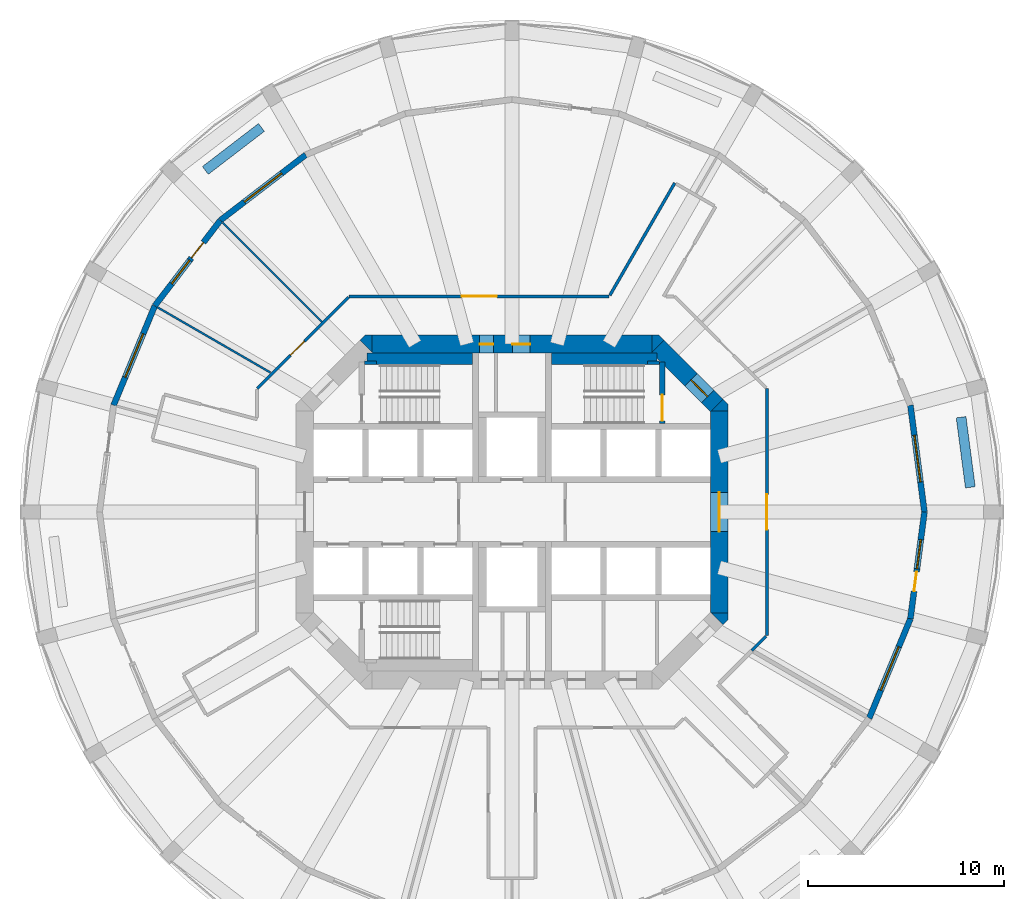
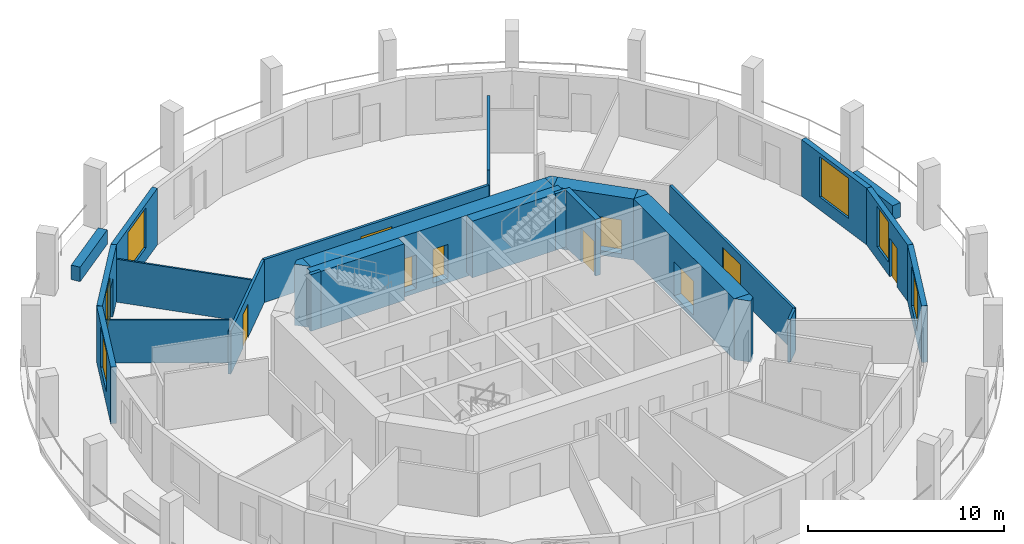
# One storey, part 5 of 8: 27 walls, 10 doors, 6 windows, 16 openings.
"""IFC4 building model written with IfcOpenShell, lengths in metres."""

from ifc_helpers import new_model, si_unit, direction, frame, frame_2d, origin, place, context, subcontext, project, spatial, polyline, rectangle, outline, extrude, material, layer, layer_set, type_object, element, fill, save


model = new_model("IFC4")

# Units and contexts
model_context = context("Model", 3, precision=1e-05, world=origin(), true_north=direction((0.0, 1.0)))
body_context = subcontext(model_context, "Body", "Model", "MODEL_VIEW")
ifc_project = project(units=[si_unit("LENGTHUNIT", "METRE"), si_unit("AREAUNIT", "SQUARE_METRE"), si_unit("VOLUMEUNIT", "CUBIC_METRE"), si_unit("PLANEANGLEUNIT", "RADIAN"), si_unit("MASSUNIT", "GRAM", prefix="KILO")], contexts=[model_context])

# Site, building, storey
site_placement = place(None, origin())
site = spatial("IfcSite", under=ifc_project, at=site_placement, CompositionType="ELEMENT")
building_placement = place(site_placement, origin())
building = spatial("IfcBuilding", under=site, at=building_placement, Name="Torre Triforio", CompositionType="ELEMENT")
storey_placement = place(building_placement, frame((0.0, 0.0, 120.0)))
storey = spatial("IfcBuildingStorey", under=building, at=storey_placement, Name="L26", CompositionType="ELEMENT", Elevation=120.0)

# Wall, openings, doors
ifc_material_1 = material(Name="Concrete C60", Category="concrete")
ifc_layer_1 = layer(ifc_material_1, 0.89990234375)
ifc_layer_set_1 = layer_set([ifc_layer_1], Name="Concrete C60")
wall_type_1 = type_object("IfcWallType", Name="Core wall 900 mm C60 EI 120", PredefinedType="SHEAR", material=ifc_layer_set_1)
wall_1_placement = place(storey_placement, frame((-7.1298828125, 8.550048828125, -0.280029296875), z_axis=(0.0, 0.0, 1.0), x_axis=(1.0, 0.0, 0.0)))
wall_1 = element("IfcWall", 1, at=wall_1_placement, inside=storey, type_object=wall_type_1, Name="Core wall", PredefinedType="SHEAR", context=body_context, shape_type="SweptSolid", body=[
    extrude(rectangle(XDim=14.259765625, YDim=0.89990234375, at=frame_2d((7.1298828125, 0.0))), origin(), (0.0, 0.0, 1.0), 3.800048828125),
])
opening_1_placement = place(wall_1_placement, frame((5.47998046875, 0.0, 0.280029296875)))
opening_1 = element("IfcOpeningElement", 2, at=opening_1_placement, cuts=wall_1, Name="Opening RISER-N", PredefinedType="OPENING", context=body_context, shape_type="SweptSolid", body=[
    extrude(rectangle(XDim=0.699951171875, YDim=2.10009765625, at=frame_2d((0.35009765625, 1.050048828125))), frame((0.0, 0.4599609375, 0.0), z_axis=(0.0, -1.0, 0.0), x_axis=(1.0, 0.0, 0.0)), (0.0, 0.0, 1.0), 0.919921875),
])
opening_2_placement = place(wall_1_placement, frame((7.155029296875, 0.0, 0.280029296875)))
opening_2 = element("IfcOpeningElement", 3, at=opening_2_placement, cuts=wall_1, Name="Opening NE-01", PredefinedType="OPENING", context=body_context, shape_type="SweptSolid", body=[
    extrude(rectangle(XDim=0.89990234375, YDim=2.10009765625, at=frame_2d((0.449951171875, 1.050048828125))), frame((0.0, 0.4599609375, 0.0), z_axis=(0.0, -1.0, 0.0), x_axis=(1.0, 0.0, 0.0)), (0.0, 0.0, 1.0), 0.919921875),
])
ifc_material_2 = material(Name="Hollow metal fire door leaf")
door_type_1 = type_object("IfcDoorType", Name="Riser door 700 x 2100 EI 60", OperationType="NOTDEFINED", PredefinedType="DOOR", material=ifc_material_2)
door_1_placement = place(opening_1_placement, origin())
door_1 = element("IfcDoor", 4, at=door_1_placement, inside=storey, type_object=door_type_1, Name="Core door RISER-N", OperationType="SINGLE_SWING_LEFT", OverallHeight=2.10009765625, OverallWidth=0.699951171875, PredefinedType="DOOR", context=body_context, shape_type="SweptSolid", body=[
    extrude(rectangle(XDim=0.699951171875, YDim=2.10009765625, at=frame_2d((0.35009765625, 1.050048828125))), frame((0.0, 0.02490234375, 0.0), z_axis=(0.0, -1.0, 0.0), x_axis=(1.0, 0.0, 0.0)), (0.0, 0.0, 1.0), 0.050048828125),
])
fill(opening_1, door_1)
door_type_2 = type_object("IfcDoorType", Name="Room door 900 x 2100 EI 60", OperationType="NOTDEFINED", PredefinedType="DOOR", material=ifc_material_2)
door_2_placement = place(opening_2_placement, origin())
door_2 = element("IfcDoor", 5, at=door_2_placement, inside=storey, type_object=door_type_2, Name="Core door NE-01", OperationType="SINGLE_SWING_RIGHT", OverallHeight=2.10009765625, OverallWidth=0.89990234375, PredefinedType="DOOR", context=body_context, shape_type="SweptSolid", body=[
    extrude(rectangle(XDim=0.89990234375, YDim=2.10009765625, at=frame_2d((0.449951171875, 1.050048828125))), frame((0.0, 0.02490234375, 0.0), z_axis=(0.0, -1.0, 0.0), x_axis=(1.0, 0.0, 0.0)), (0.0, 0.0, 1.0), 0.050048828125),
])
fill(opening_2, door_2)

# Wall, opening, door
wall_2_placement = place(storey_placement, frame((10.550048828125, -5.1298828125, -0.280029296875), z_axis=(0.0, 0.0, 1.0), x_axis=(0.0, 1.0, 0.0)))
wall_2 = element("IfcWall", 6, at=wall_2_placement, inside=storey, type_object=wall_type_1, Name="Core wall", PredefinedType="SHEAR", context=body_context, shape_type="SweptSolid", body=[
    extrude(rectangle(XDim=10.259765625, YDim=0.89990234375, at=frame_2d((5.1298828125, 0.0))), origin(), (0.0, 0.0, 1.0), 3.800048828125),
])
opening_3_placement = place(wall_2_placement, frame((4.1298828125, 0.0, 0.280029296875)))
opening_3 = element("IfcOpeningElement", 7, at=opening_3_placement, cuts=wall_2, Name="Opening E-RING", PredefinedType="OPENING", context=body_context, shape_type="SweptSolid", body=[
    extrude(rectangle(XDim=2.0, YDim=2.10009765625, at=frame_2d((1.0, 1.050048828125))), frame((0.0, 0.4599609375, 0.0), z_axis=(0.0, -1.0, 0.0), x_axis=(1.0, 0.0, 0.0)), (0.0, 0.0, 1.0), 0.919921875),
])
door_type_3 = type_object("IfcDoorType", Name="Lobby door 2000 x 2100 EI 60", OperationType="DOUBLE_DOOR_SINGLE_SWING", PredefinedType="DOOR", material=ifc_material_2)
door_3_placement = place(opening_3_placement, origin())
door_3 = element("IfcDoor", 8, at=door_3_placement, inside=storey, type_object=door_type_3, Name="Core door E-RING", OperationType="DOUBLE_DOOR_SINGLE_SWING", OverallHeight=2.10009765625, OverallWidth=2.0, PredefinedType="DOOR", context=body_context, shape_type="SweptSolid", body=[
    extrude(rectangle(XDim=2.0, YDim=2.10009765625, at=frame_2d((1.0, 1.050048828125))), frame((0.0, 0.02490234375, 0.0), z_axis=(0.0, -1.0, 0.0), x_axis=(1.0, 0.0, 0.0)), (0.0, 0.0, 1.0), 0.050048828125),
])
fill(opening_3, door_3)

wall_3_placement = place(storey_placement, frame((7.418212890625, 8.418212890625, -0.280029296875), z_axis=(0.0, 0.0, 1.0), x_axis=(0.707106781187, -0.707106781187, 0.0)))
wall_3 = element("IfcWall", 9, at=wall_3_placement, inside=storey, type_object=wall_type_1, Name="Core wall", PredefinedType="SHEAR", context=body_context, shape_type="SweptSolid", body=[
    extrude(rectangle(XDim=4.24267578125, YDim=0.89990234375, at=frame_2d((2.121337890625, 0.0))), origin(), (0.0, 0.0, 1.0), 3.800048828125),
])
opening_4_placement = place(wall_3_placement, frame((2.392578125, 0.0, 0.280029296875)))
opening_4 = element("IfcOpeningElement", 10, at=opening_4_placement, cuts=wall_3, Name="Opening ST2-EXIT", PredefinedType="OPENING", context=body_context, shape_type="SweptSolid", body=[
    extrude(rectangle(XDim=1.199951171875, YDim=2.10009765625, at=frame_2d((0.60009765625, 1.050048828125))), frame((0.0, 0.4599609375, 0.0), z_axis=(0.0, -1.0, 0.0), x_axis=(1.0, 0.0, 0.0)), (0.0, 0.0, 1.0), 0.919921875),
])
door_type_4 = type_object("IfcDoorType", Name="Stair lobby door 1200 x 2100 EI 60", OperationType="NOTDEFINED", PredefinedType="DOOR", material=ifc_material_2)
door_4_placement = place(opening_4_placement, origin())
door_4 = element("IfcDoor", 11, at=door_4_placement, inside=storey, type_object=door_type_4, Name="Core door ST2-EXIT", OperationType="SINGLE_SWING_RIGHT", OverallHeight=2.10009765625, OverallWidth=1.199951171875, PredefinedType="DOOR", context=body_context, shape_type="SweptSolid", body=[
    extrude(rectangle(XDim=1.199951171875, YDim=2.10009765625, at=frame_2d((0.60009765625, 1.050048828125))), frame((0.0, 0.02490234375, 0.0), z_axis=(0.0, -1.0, 0.0), x_axis=(1.0, 0.0, 0.0)), (0.0, 0.0, 1.0), 0.050048828125),
])
fill(opening_4, door_4)

# Walls
wall_4_placement = place(storey_placement, frame((0.0, 0.0, -0.280029296875)))
element("IfcWall", 12, at=wall_4_placement, inside=storey, type_object=wall_type_1, Name="Core wall", PredefinedType="SHEAR", context=body_context, shape_type="SweptSolid", body=[
    extrude(outline(polyline([(11.0, -5.472900390625), (10.736328125, -5.736328125), (10.1298828125, -5.1298828125), (11.0, -5.1298828125), (11.0, -5.472900390625)])), origin(), (0.0, 0.0, 1.0), 3.800048828125),
])
wall_5_placement = place(storey_placement, frame((0.0, 0.0, -0.280029296875)))
element("IfcWall", 13, at=wall_5_placement, inside=storey, type_object=wall_type_1, Name="Core wall", PredefinedType="SHEAR", context=body_context, shape_type="SweptSolid", body=[
    extrude(outline(polyline([(11.0, 5.472900390625), (11.0, 5.1298828125), (10.1298828125, 5.1298828125), (10.736328125, 5.736328125), (11.0, 5.472900390625)])), origin(), (0.0, 0.0, 1.0), 3.800048828125),
])
wall_6_placement = place(storey_placement, frame((0.0, 0.0, -0.280029296875)))
element("IfcWall", 14, at=wall_6_placement, inside=storey, type_object=wall_type_1, Name="Core wall", PredefinedType="SHEAR", context=body_context, shape_type="SweptSolid", body=[
    extrude(outline(polyline([(-7.472900390625, 9.0), (-7.1298828125, 9.0), (-7.1298828125, 8.1298828125), (-7.736328125, 8.736328125), (-7.472900390625, 9.0)])), origin(), (0.0, 0.0, 1.0), 3.800048828125),
])
wall_7_placement = place(storey_placement, frame((0.0, 0.0, -0.280029296875)))
element("IfcWall", 15, at=wall_7_placement, inside=storey, type_object=wall_type_1, Name="Core wall", PredefinedType="SHEAR", context=body_context, shape_type="SweptSolid", body=[
    extrude(outline(polyline([(7.472900390625, 9.0), (7.736328125, 8.736328125), (7.1298828125, 8.1298828125), (7.1298828125, 9.0), (7.472900390625, 9.0)])), origin(), (0.0, 0.0, 1.0), 3.800048828125),
])

# Wall, opening, door
ifc_material_3 = material(Name="Plasterboard on metal studs")
ifc_layer_2 = layer(ifc_material_3, 0.14990234375)
ifc_layer_set_2 = layer_set([ifc_layer_2], Name="Plasterboard on metal studs")
wall_type_2 = type_object("IfcWallType", Name="Corridor and tenancy wall 150 mm EI 60", PredefinedType="PARTITIONING", material=ifc_layer_set_2)
wall_8_placement = place(storey_placement, frame((-12.97509765625, 6.291015625, 0.0), z_axis=(0.0, 0.0, 1.0), x_axis=(0.707125355289, 0.707088206597, 0.0)))
wall_8 = element("IfcWall", 16, at=wall_8_placement, inside=storey, type_object=wall_type_2, Name="Partition 8", PredefinedType="PARTITIONING", context=body_context, shape_type="SweptSolid", body=[
    extrude(rectangle(XDim=6.572021484375, YDim=0.14990234375, at=frame_2d((3.2861328125, 0.0))), origin(), (0.0, 0.0, 1.0), 2.669921875),
])
opening_5_placement = place(wall_8_placement, frame((2.400390625, 0.0, 0.0)))
opening_5 = element("IfcOpeningElement", 17, at=opening_5_placement, cuts=wall_8, Name="Opening D1-02", PredefinedType="OPENING", context=body_context, shape_type="SweptSolid", body=[
    extrude(rectangle(XDim=1.0, YDim=2.10009765625, at=frame_2d((0.5, 1.050048828125))), frame((0.0, 0.0849609375, 0.0), z_axis=(0.0, -1.0, 0.0), x_axis=(1.0, 0.0, 0.0)), (0.0, 0.0, 1.0), 0.169921875),
])
ifc_material_4 = material(Name="Timber", Category="wood")
door_type_5 = type_object("IfcDoorType", Name="Door 1000 x 2100 single leaf EI 30", OperationType="NOTDEFINED", PredefinedType="DOOR", material=ifc_material_4)
door_5_placement = place(opening_5_placement, origin())
door_5 = element("IfcDoor", 18, at=door_5_placement, inside=storey, type_object=door_type_5, Name="Door D1-02", OperationType="SINGLE_SWING_RIGHT", OverallHeight=2.10009765625, OverallWidth=1.0, PredefinedType="DOOR", context=body_context, shape_type="SweptSolid", body=[
    extrude(rectangle(XDim=1.0, YDim=2.10009765625, at=frame_2d((0.5, 1.050048828125))), frame((0.0, 0.02490234375, 0.0), z_axis=(0.0, -1.0, 0.0), x_axis=(1.0, 0.0, 0.0)), (0.0, 0.0, 1.0), 0.050048828125),
])
fill(opening_5, door_5)

wall_9_placement = place(storey_placement, frame((-8.291015625, 10.97509765625, 0.0), z_axis=(0.0, 0.0, 1.0), x_axis=(1.0, 0.0, 0.0)))
wall_9 = element("IfcWall", 19, at=wall_9_placement, inside=storey, type_object=wall_type_2, Name="Partition 9", PredefinedType="PARTITIONING", context=body_context, shape_type="SweptSolid", body=[
    extrude(rectangle(XDim=13.24169921875, YDim=0.14990234375, at=frame_2d((6.620849609375, 0.0))), origin(), (0.0, 0.0, 1.0), 2.669921875),
])
opening_6_placement = place(wall_9_placement, frame((5.720703125, 0.0, 0.0)))
opening_6 = element("IfcOpeningElement", 20, at=opening_6_placement, cuts=wall_9, Name="Opening D1-01", PredefinedType="OPENING", context=body_context, shape_type="SweptSolid", body=[
    extrude(rectangle(XDim=1.800048828125, YDim=2.10009765625, at=frame_2d((0.89990234375, 1.050048828125))), frame((0.0, 0.0849609375, 0.0), z_axis=(0.0, -1.0, 0.0), x_axis=(1.0, 0.0, 0.0)), (0.0, 0.0, 1.0), 0.169921875),
])
door_type_6 = type_object("IfcDoorType", Name="Door 1800 x 2100 double leaf EI 30", OperationType="DOUBLE_DOOR_SINGLE_SWING", PredefinedType="DOOR", material=ifc_material_4)
door_6_placement = place(opening_6_placement, origin())
door_6 = element("IfcDoor", 21, at=door_6_placement, inside=storey, type_object=door_type_6, Name="Door D1-01", OperationType="DOUBLE_DOOR_SINGLE_SWING", OverallHeight=2.10009765625, OverallWidth=1.800048828125, PredefinedType="DOOR", context=body_context, shape_type="SweptSolid", body=[
    extrude(rectangle(XDim=1.800048828125, YDim=2.10009765625, at=frame_2d((0.89990234375, 1.050048828125))), frame((0.0, 0.02490234375, 0.0), z_axis=(0.0, -1.0, 0.0), x_axis=(1.0, 0.0, 0.0)), (0.0, 0.0, 1.0), 0.050048828125),
])
fill(opening_6, door_6)

# Wall
wall_10_placement = place(storey_placement, frame((4.9833984375, 11.03125, 0.0), z_axis=(0.0, 0.0, 1.0), x_axis=(0.499988075443, 0.866032288321, 0.0)))
element("IfcWall", 22, at=wall_10_placement, inside=storey, type_object=wall_type_2, Name="Partition 10", PredefinedType="PARTITIONING", context=body_context, shape_type="SweptSolid", body=[
    extrude(rectangle(XDim=6.603759765625, YDim=0.14990234375, at=frame_2d((3.3017578125, 0.0))), origin(), (0.0, 0.0, 1.0), 3.52001953125),
])

# Wall, opening, door
wall_11_placement = place(storey_placement, frame((12.97509765625, 6.291015625, 0.0), z_axis=(0.0, 0.0, 1.0), x_axis=(0.0, -1.0, 0.0)))
wall_11 = element("IfcWall", 23, at=wall_11_placement, inside=storey, type_object=wall_type_2, Name="Partition 15", PredefinedType="PARTITIONING", context=body_context, shape_type="SweptSolid", body=[
    extrude(rectangle(XDim=12.58203125, YDim=0.14990234375, at=frame_2d((6.291015625, 0.0))), origin(), (0.0, 0.0, 1.0), 2.669921875),
])
opening_7_placement = place(wall_11_placement, frame((5.390869140625, 0.0, 0.0)))
opening_7 = element("IfcOpeningElement", 24, at=opening_7_placement, cuts=wall_11, Name="Opening D1-12", PredefinedType="OPENING", context=body_context, shape_type="SweptSolid", body=[
    extrude(rectangle(XDim=1.800048828125, YDim=2.10009765625, at=frame_2d((0.89990234375, 1.050048828125))), frame((0.0, 0.0849609375, 0.0), z_axis=(0.0, -1.0, 0.0), x_axis=(1.0, 0.0, 0.0)), (0.0, 0.0, 1.0), 0.169921875),
])
door_7_placement = place(opening_7_placement, origin())
door_7 = element("IfcDoor", 25, at=door_7_placement, inside=storey, type_object=door_type_6, Name="Door D1-12", OperationType="DOUBLE_DOOR_SINGLE_SWING", OverallHeight=2.10009765625, OverallWidth=1.800048828125, PredefinedType="DOOR", context=body_context, shape_type="SweptSolid", body=[
    extrude(rectangle(XDim=1.800048828125, YDim=2.10009765625, at=frame_2d((0.89990234375, 1.050048828125))), frame((0.0, 0.02490234375, 0.0), z_axis=(0.0, -1.0, 0.0), x_axis=(1.0, 0.0, 0.0)), (0.0, 0.0, 1.0), 0.050048828125),
])
fill(opening_7, door_7)

# Walls
wall_12_placement = place(storey_placement, frame((12.93798828125, -6.327880859375, 0.0), z_axis=(0.0, 0.0, 1.0), x_axis=(-0.707106781187, -0.707106781187, 0.0)))
element("IfcWall", 26, at=wall_12_placement, inside=storey, type_object=wall_type_2, Name="Partition 16", PredefinedType="PARTITIONING", context=body_context, shape_type="SweptSolid", body=[
    extrude(rectangle(XDim=1.023681640625, YDim=0.14990234375, at=frame_2d((0.51171875, 0.0))), origin(), (0.0, 0.0, 1.0), 2.669921875),
])
ifc_layer_3 = layer(ifc_material_3, 0.10009765625)
ifc_layer_set_3 = layer_set([ifc_layer_3], Name="Plasterboard on metal studs")
wall_type_3 = type_object("IfcWallType", Name="Partition 100 mm board on metal studs", PredefinedType="PARTITIONING", material=ifc_layer_set_3)
wall_13_placement = place(storey_placement, frame((-9.68603515625, 9.68603515625, 0.0), z_axis=(0.0, 0.0, 1.0), x_axis=(-0.707106781187, 0.707106781187, 0.0)))
element("IfcWall", 27, at=wall_13_placement, inside=storey, type_object=wall_type_3, Name="Partition 33", PredefinedType="PARTITIONING", context=body_context, shape_type="SweptSolid", body=[
    extrude(rectangle(XDim=7.138671875, YDim=0.10009765625, at=frame_2d((3.5693359375, 0.0))), origin(), (0.0, 0.0, 1.0), 2.669921875),
])
wall_14_placement = place(storey_placement, frame((-12.294189453125, 7.097900390625, 0.0), z_axis=(0.0, 0.0, 1.0), x_axis=(-0.866010486135, 0.500025837236, 0.0)))
element("IfcWall", 28, at=wall_14_placement, inside=storey, type_object=wall_type_3, Name="Partition 34", PredefinedType="PARTITIONING", context=body_context, shape_type="SweptSolid", body=[
    extrude(rectangle(XDim=6.640869140625, YDim=0.10009765625, at=frame_2d((3.3203125, 0.0))), origin(), (0.0, 0.0, 1.0), 2.669921875),
])
ifc_material_5 = material(Name="Limestone cladding", Category="masonry")
ifc_layer_4 = layer(ifc_material_5, 0.10009765625)
ifc_material_6 = material(Name="Concrete C40", Category="concrete")
ifc_layer_5 = layer(ifc_material_6, 0.39990234375)
ifc_layer_set_4 = layer_set([ifc_layer_4, ifc_layer_5], Name="Limestone cladding / Concrete C40")
wall_type_4 = type_object("IfcWallType", Name="Planter wall 500", PredefinedType="PARAPET", material=ifc_layer_set_4)
for number, where, z_axis, x_axis, name in (
    (29, (23.335693359375, 1.256591796875, 0.0), (0.0, 0.0, 1.0), (-0.130542222659, 0.991442750795, 0.0), "Planter L26 bay 01"),
    (30, (-12.756103515625, 19.580810546875, 0.0), (0.0, 0.0, 1.0), (-0.793384730612, -0.608720518162, 0.0), "Planter L26 bay 09"),
):
    element("IfcWall", number, at=place(storey_placement, frame(where, z_axis=z_axis, x_axis=x_axis)), inside=storey, type_object=wall_type_4, Name=name, PredefinedType="PARAPET", context=body_context, shape_type="SweptSolid", body=[
        extrude(rectangle(XDim=3.60009765625, YDim=0.5, at=frame_2d((1.800048828125, 0.0))), origin(), (0.0, 0.0, 1.0), 0.89990234375),
    ])
ifc_layer_6 = layer(ifc_material_1, 0.199951171875)
ifc_layer_set_5 = layer_set([ifc_layer_6], Name="Concrete C60")
wall_type_5 = type_object("IfcWallType", Name="Stair wall 200 mm C60 EI 120", PredefinedType="SHEAR", material=ifc_layer_set_5)
for number, where, z_axis, x_axis, name in (
    (31, (-7.5, 7.60009765625, 0.0), (0.0, 0.0, 1.0), (1.0, 0.0, 0.0), "Stair wall"),
    (32, (6.89990234375, 7.60009765625, 0.0), (0.0, 0.0, 1.0), (1.0, 0.0, 0.0), "Stair wall"),
):
    element("IfcWall", number, at=place(storey_placement, frame(where, z_axis=z_axis, x_axis=x_axis)), inside=storey, type_object=wall_type_5, Name=name, PredefinedType="SHEAR", context=body_context, shape_type="SweptSolid", body=[
        extrude(rectangle(XDim=0.60009765625, YDim=0.199951171875, at=frame_2d((0.300048828125, 0.0))), origin(), (0.0, 0.0, 1.0), 3.52001953125),
    ])

# Wall, opening, door
ifc_layer_7 = layer(ifc_material_1, 0.300048828125)
ifc_layer_set_6 = layer_set([ifc_layer_7], Name="Concrete C60")
wall_type_6 = type_object("IfcWallType", Name="Stair wall 300 mm C60 EI 120", PredefinedType="SHEAR", material=ifc_layer_set_6)
wall_15_placement = place(storey_placement, frame((7.64990234375, 4.5, 0.0), z_axis=(0.0, 0.0, 1.0), x_axis=(0.0, 1.0, 0.0)))
wall_15 = element("IfcWall", 33, at=wall_15_placement, inside=storey, type_object=wall_type_6, Name="Stair wall", PredefinedType="SHEAR", context=body_context, shape_type="SweptSolid", body=[
    extrude(rectangle(XDim=3.139892578125, YDim=0.300048828125, at=frame_2d((1.56982421875, 0.0))), origin(), (0.0, 0.0, 1.0), 3.52001953125),
])
opening_8_placement = place(wall_15_placement, frame((0.139892578125, 0.0, 0.0)))
opening_8 = element("IfcOpeningElement", 34, at=opening_8_placement, cuts=wall_15, Name="Opening ST2-STA", PredefinedType="OPENING", context=body_context, shape_type="SweptSolid", body=[
    extrude(rectangle(XDim=1.320068359375, YDim=2.10009765625, at=frame_2d((0.66015625, 1.050048828125))), frame((0.0, 0.159912109375, 0.0), z_axis=(0.0, -1.0, 0.0), x_axis=(1.0, 0.0, 0.0)), (0.0, 0.0, 1.0), 0.320068359375),
])
door_type_7 = type_object("IfcDoorType", Name="Stair door 1320 x 2100 EI 90", OperationType="DOUBLE_DOOR_SINGLE_SWING", PredefinedType="DOOR", material=ifc_material_2)
door_8_placement = place(opening_8_placement, origin())
door_8 = element("IfcDoor", 35, at=door_8_placement, inside=storey, type_object=door_type_7, Name="Core door ST2-ST", OperationType="DOUBLE_DOOR_SINGLE_SWING", OverallHeight=2.10009765625, OverallWidth=1.320068359375, PredefinedType="DOOR", context=body_context, shape_type="SweptSolid", body=[
    extrude(rectangle(XDim=1.320068359375, YDim=2.10009765625, at=frame_2d((0.66015625, 1.050048828125))), frame((0.0, 0.02490234375, 0.0), z_axis=(0.0, -1.0, 0.0), x_axis=(1.0, 0.0, 0.0)), (0.0, 0.0, 1.0), 0.050048828125),
])
fill(opening_8, door_8)

# Walls
ifc_layer_8 = layer(ifc_material_1, 0.60009765625)
ifc_layer_set_7 = layer_set([ifc_layer_8], Name="Concrete C60")
wall_type_7 = type_object("IfcWallType", Name="Stair wall 600 mm C60 EI 120", PredefinedType="SHEAR", material=ifc_layer_set_7)
for number, where, z_axis, x_axis, name in (
    (36, (-7.3701171875, 7.800048828125, 0.0), (0.0, 0.0, 1.0), (1.0, 0.0, 0.0), "Stair wall"),
    (37, (2.0, 7.800048828125, 0.0), (0.0, 0.0, 1.0), (1.0, 0.0, 0.0), "Stair wall"),
):
    element("IfcWall", number, at=place(storey_placement, frame(where, z_axis=z_axis, x_axis=x_axis)), inside=storey, type_object=wall_type_7, Name=name, PredefinedType="SHEAR", context=body_context, shape_type="SweptSolid", body=[
        extrude(rectangle(XDim=5.3701171875, YDim=0.60009765625, at=frame_2d((2.68505859375, 0.0))), origin(), (0.0, 0.0, 1.0), 3.52001953125),
    ])

# Wall, opening, window
ifc_layer_9 = layer(ifc_material_5, 0.10009765625)
ifc_layer_10 = layer(ifc_material_6, 0.199951171875)
ifc_layer_set_8 = layer_set([ifc_layer_9, ifc_layer_10], Name="Limestone cladding / Concrete C40")
wall_type_8 = type_object("IfcWallType", Name="Stone-faced composite wall 300", PredefinedType="STANDARD", material=ifc_layer_set_8)
wall_16_placement = place(storey_placement, frame((21.0, 0.0, 0.0), z_axis=(0.0, 0.0, 1.0), x_axis=(-0.130527087244, 0.991444743541, 0.0)))
wall_16 = element("IfcWall", 38, at=wall_16_placement, inside=storey, type_object=wall_type_8, Name="External wall L26 bay 01", PredefinedType="STANDARD", context=body_context, shape_type="SweptSolid", body=[
    extrude(rectangle(XDim=5.482177734375, YDim=0.300048828125, at=frame_2d((2.7412109375, 0.0))), origin(), (0.0, 0.0, 1.0), 3.52001953125),
])
opening_9_placement = place(wall_16_placement, frame((1.541015625, 0.0, 0.800048828125)))
opening_9 = element("IfcOpeningElement", 39, at=opening_9_placement, cuts=wall_16, Name="Opening D1-W01", PredefinedType="OPENING", context=body_context, shape_type="SweptSolid", body=[
    extrude(rectangle(XDim=2.39990234375, YDim=2.5, at=frame_2d((1.199951171875, 1.25))), frame((0.0, 0.159912109375, 0.0), z_axis=(0.0, -1.0, 0.0), x_axis=(1.0, 0.0, 0.0)), (0.0, 0.0, 1.0), 0.320068359375),
])
ifc_material_7 = material(Name="Aluminium frame with clear double glazing", Category="aluminium")
window_type_1 = type_object("IfcWindowType", Name="Punched window 2400 x 2500", PartitioningType="DOUBLE_PANEL_VERTICAL", PredefinedType="WINDOW", material=ifc_material_7)
window_1_placement = place(opening_9_placement, origin())
window_1 = element("IfcWindow", 40, at=window_1_placement, inside=storey, type_object=window_type_1, Name="Window EWN3 L26 bay 01", OverallHeight=2.5, OverallWidth=2.39990234375, PartitioningType="SINGLE_PANEL", PredefinedType="WINDOW", context=body_context, shape_type="SweptSolid", body=[
    extrude(rectangle(XDim=2.39990234375, YDim=2.5, at=frame_2d((1.199951171875, 1.25))), frame((0.0, 0.030029296875, 0.0), z_axis=(0.0, -1.0, 0.0), x_axis=(1.0, 0.0, 0.0)), (0.0, 0.0, 1.0), 0.06005859375),
])
fill(opening_9, window_1)

wall_17_placement = place(storey_placement, frame((-10.5, 18.1865234375, 0.0), z_axis=(0.0, 0.0, 1.0), x_axis=(-0.793335336593, -0.608784891166, 0.0)))
wall_17 = element("IfcWall", 41, at=wall_17_placement, inside=storey, type_object=wall_type_8, Name="External wall L26 bay 09", PredefinedType="STANDARD", context=body_context, shape_type="SweptSolid", body=[
    extrude(rectangle(XDim=5.482177734375, YDim=0.300048828125, at=frame_2d((2.7412109375, 0.0))), origin(), (0.0, 0.0, 1.0), 3.52001953125),
])
opening_10_placement = place(wall_17_placement, frame((1.541015625, 0.0, 0.800048828125)))
opening_10 = element("IfcOpeningElement", 42, at=opening_10_placement, cuts=wall_17, Name="Opening D1-W09", PredefinedType="OPENING", context=body_context, shape_type="SweptSolid", body=[
    extrude(rectangle(XDim=2.39990234375, YDim=2.5, at=frame_2d((1.199951171875, 1.25))), frame((0.0, 0.159912109375, 0.0), z_axis=(0.0, -1.0, 0.0), x_axis=(1.0, 0.0, 0.0)), (0.0, 0.0, 1.0), 0.320068359375),
])
window_2_placement = place(opening_10_placement, origin())
window_2 = element("IfcWindow", 43, at=window_2_placement, inside=storey, type_object=window_type_1, Name="Window EWN3 L26 bay 09", OverallHeight=2.5, OverallWidth=2.39990234375, PartitioningType="SINGLE_PANEL", PredefinedType="WINDOW", context=body_context, shape_type="SweptSolid", body=[
    extrude(rectangle(XDim=2.39990234375, YDim=2.5, at=frame_2d((1.199951171875, 1.25))), frame((0.0, 0.030029296875, 0.0), z_axis=(0.0, -1.0, 0.0), x_axis=(1.0, 0.0, 0.0)), (0.0, 0.0, 1.0), 0.06005859375),
])
fill(opening_10, window_2)

# Wall, openings, door, window
wall_18_placement = place(storey_placement, frame((-14.84912109375, 14.84912109375, 0.0), z_axis=(0.0, 0.0, 1.0), x_axis=(-0.608784891166, -0.793335336593, 0.0)))
wall_18 = element("IfcWall", 44, at=wall_18_placement, inside=storey, type_object=wall_type_8, Name="External wall L26 bay 10", PredefinedType="STANDARD", context=body_context, shape_type="SweptSolid", body=[
    extrude(rectangle(XDim=5.482177734375, YDim=0.300048828125, at=frame_2d((2.7412109375, 0.0))), origin(), (0.0, 0.0, 1.0), 3.52001953125),
])
opening_11_placement = place(wall_18_placement, frame((1.416015625, 0.0, 0.0)))
opening_11 = element("IfcOpeningElement", 45, at=opening_11_placement, cuts=wall_18, Name="Opening D1-D10", PredefinedType="OPENING", context=body_context, shape_type="SweptSolid", body=[
    extrude(rectangle(XDim=1.0, YDim=2.39990234375, at=frame_2d((0.5, 1.199951171875))), frame((0.0, 0.159912109375, 0.0), z_axis=(0.0, -1.0, 0.0), x_axis=(1.0, 0.0, 0.0)), (0.0, 0.0, 1.0), 0.320068359375),
])
opening_12_placement = place(wall_18_placement, frame((2.56591796875, 0.0, 0.800048828125)))
opening_12 = element("IfcOpeningElement", 46, at=opening_12_placement, cuts=wall_18, Name="Opening D1-W10A", PredefinedType="OPENING", context=body_context, shape_type="SweptSolid", body=[
    extrude(rectangle(XDim=1.5, YDim=2.5, at=frame_2d((0.75, 1.25))), frame((0.0, 0.159912109375, 0.0), z_axis=(0.0, -1.0, 0.0), x_axis=(1.0, 0.0, 0.0)), (0.0, 0.0, 1.0), 0.320068359375),
])
door_type_8 = type_object("IfcDoorType", Name="Loggia door 1000 x 2400", OperationType="NOTDEFINED", PredefinedType="DOOR", material=ifc_material_7)
door_9_placement = place(opening_11_placement, origin())
door_9 = element("IfcDoor", 47, at=door_9_placement, inside=storey, type_object=door_type_8, Name="Loggia door L26 bay 10", OperationType="SINGLE_SWING_LEFT", OverallHeight=2.39990234375, OverallWidth=1.0, PredefinedType="DOOR", context=body_context, shape_type="SweptSolid", body=[
    extrude(rectangle(XDim=1.0, YDim=2.39990234375, at=frame_2d((0.5, 1.199951171875))), frame((0.0, 0.02490234375, 0.0), z_axis=(0.0, -1.0, 0.0), x_axis=(1.0, 0.0, 0.0)), (0.0, 0.0, 1.0), 0.050048828125),
])
fill(opening_11, door_9)
window_type_2 = type_object("IfcWindowType", Name="Side window 1500 x 2500", PartitioningType="SINGLE_PANEL", PredefinedType="WINDOW", material=ifc_material_7)
window_3_placement = place(opening_12_placement, origin())
window_3 = element("IfcWindow", 48, at=window_3_placement, inside=storey, type_object=window_type_2, Name="Side window EWN13 L26 bay 10", OverallHeight=2.5, OverallWidth=1.5, PartitioningType="SINGLE_PANEL", PredefinedType="WINDOW", context=body_context, shape_type="SweptSolid", body=[
    extrude(rectangle(XDim=1.5, YDim=2.5, at=frame_2d((0.75, 1.25))), frame((0.0, 0.030029296875, 0.0), z_axis=(0.0, -1.0, 0.0), x_axis=(1.0, 0.0, 0.0)), (0.0, 0.0, 1.0), 0.06005859375),
])
fill(opening_12, window_3)

# Wall, opening, window
wall_19_placement = place(storey_placement, frame((-18.1865234375, 10.5, 0.0), z_axis=(0.0, 0.0, 1.0), x_axis=(-0.382688740813, -0.923877333662, 0.0)))
wall_19 = element("IfcWall", 49, at=wall_19_placement, inside=storey, type_object=wall_type_8, Name="External wall L26 bay 11", PredefinedType="STANDARD", context=body_context, shape_type="SweptSolid", body=[
    extrude(rectangle(XDim=5.48193359375, YDim=0.300048828125, at=frame_2d((2.740966796875, 0.0))), origin(), (0.0, 0.0, 1.0), 3.52001953125),
])
opening_13_placement = place(wall_19_placement, frame((1.541015625, 0.0, 0.800048828125)))
opening_13 = element("IfcOpeningElement", 50, at=opening_13_placement, cuts=wall_19, Name="Opening D1-W11", PredefinedType="OPENING", context=body_context, shape_type="SweptSolid", body=[
    extrude(rectangle(XDim=2.39990234375, YDim=2.5, at=frame_2d((1.199951171875, 1.25))), frame((0.0, 0.159912109375, 0.0), z_axis=(0.0, -1.0, 0.0), x_axis=(1.0, 0.0, 0.0)), (0.0, 0.0, 1.0), 0.320068359375),
])
window_4_placement = place(opening_13_placement, origin())
window_4 = element("IfcWindow", 51, at=window_4_placement, inside=storey, type_object=window_type_1, Name="Window EWN3 L26 bay 11", OverallHeight=2.5, OverallWidth=2.39990234375, PartitioningType="SINGLE_PANEL", PredefinedType="WINDOW", context=body_context, shape_type="SweptSolid", body=[
    extrude(rectangle(XDim=2.39990234375, YDim=2.5, at=frame_2d((1.199951171875, 1.25))), frame((0.0, 0.030029296875, 0.0), z_axis=(0.0, -1.0, 0.0), x_axis=(1.0, 0.0, 0.0)), (0.0, 0.0, 1.0), 0.06005859375),
])
fill(opening_13, window_4)

wall_20_placement = place(storey_placement, frame((18.1865234375, -10.5, 0.0), z_axis=(0.0, 0.0, 1.0), x_axis=(0.382688740813, 0.923877333662, 0.0)))
wall_20 = element("IfcWall", 52, at=wall_20_placement, inside=storey, type_object=wall_type_8, Name="External wall L26 bay 23", PredefinedType="STANDARD", context=body_context, shape_type="SweptSolid", body=[
    extrude(rectangle(XDim=5.48193359375, YDim=0.300048828125, at=frame_2d((2.740966796875, 0.0))), origin(), (0.0, 0.0, 1.0), 3.52001953125),
])
opening_14_placement = place(wall_20_placement, frame((1.541015625, 0.0, 0.800048828125)))
opening_14 = element("IfcOpeningElement", 53, at=opening_14_placement, cuts=wall_20, Name="Opening D1-W23", PredefinedType="OPENING", context=body_context, shape_type="SweptSolid", body=[
    extrude(rectangle(XDim=2.39990234375, YDim=2.5, at=frame_2d((1.199951171875, 1.25))), frame((0.0, 0.159912109375, 0.0), z_axis=(0.0, -1.0, 0.0), x_axis=(1.0, 0.0, 0.0)), (0.0, 0.0, 1.0), 0.320068359375),
])
window_5_placement = place(opening_14_placement, origin())
window_5 = element("IfcWindow", 54, at=window_5_placement, inside=storey, type_object=window_type_1, Name="Window EWN3 L26 bay 23", OverallHeight=2.5, OverallWidth=2.39990234375, PartitioningType="SINGLE_PANEL", PredefinedType="WINDOW", context=body_context, shape_type="SweptSolid", body=[
    extrude(rectangle(XDim=2.39990234375, YDim=2.5, at=frame_2d((1.199951171875, 1.25))), frame((0.0, 0.030029296875, 0.0), z_axis=(0.0, -1.0, 0.0), x_axis=(1.0, 0.0, 0.0)), (0.0, 0.0, 1.0), 0.06005859375),
])
fill(opening_14, window_5)

# Wall, openings, door, window
wall_21_placement = place(storey_placement, frame((20.284423828125, -5.435302734375, 0.0), z_axis=(0.0, 0.0, 1.0), x_axis=(0.130527087244, 0.991444743541, 0.0)))
wall_21 = element("IfcWall", 55, at=wall_21_placement, inside=storey, type_object=wall_type_8, Name="External wall L26 bay 24", PredefinedType="STANDARD", context=body_context, shape_type="SweptSolid", body=[
    extrude(rectangle(XDim=5.482177734375, YDim=0.300048828125, at=frame_2d((2.7412109375, 0.0))), origin(), (0.0, 0.0, 1.0), 3.52001953125),
])
opening_15_placement = place(wall_21_placement, frame((1.416015625, 0.0, 0.0)))
opening_15 = element("IfcOpeningElement", 56, at=opening_15_placement, cuts=wall_21, Name="Opening D1-D24", PredefinedType="OPENING", context=body_context, shape_type="SweptSolid", body=[
    extrude(rectangle(XDim=1.0, YDim=2.39990234375, at=frame_2d((0.5, 1.199951171875))), frame((0.0, 0.159912109375, 0.0), z_axis=(0.0, -1.0, 0.0), x_axis=(1.0, 0.0, 0.0)), (0.0, 0.0, 1.0), 0.320068359375),
])
opening_16_placement = place(wall_21_placement, frame((2.566162109375, 0.0, 0.800048828125)))
opening_16 = element("IfcOpeningElement", 57, at=opening_16_placement, cuts=wall_21, Name="Opening D1-W24A", PredefinedType="OPENING", context=body_context, shape_type="SweptSolid", body=[
    extrude(rectangle(XDim=1.5, YDim=2.5, at=frame_2d((0.75, 1.25))), frame((0.0, 0.159912109375, 0.0), z_axis=(0.0, -1.0, 0.0), x_axis=(1.0, 0.0, 0.0)), (0.0, 0.0, 1.0), 0.320068359375),
])
door_10_placement = place(opening_15_placement, origin())
door_10 = element("IfcDoor", 58, at=door_10_placement, inside=storey, type_object=door_type_8, Name="Loggia door L26 bay 24", OperationType="SINGLE_SWING_LEFT", OverallHeight=2.39990234375, OverallWidth=1.0, PredefinedType="DOOR", context=body_context, shape_type="SweptSolid", body=[
    extrude(rectangle(XDim=1.0, YDim=2.39990234375, at=frame_2d((0.5, 1.199951171875))), frame((0.0, 0.02490234375, 0.0), z_axis=(0.0, -1.0, 0.0), x_axis=(1.0, 0.0, 0.0)), (0.0, 0.0, 1.0), 0.050048828125),
])
fill(opening_15, door_10)
window_6_placement = place(opening_16_placement, origin())
window_6 = element("IfcWindow", 59, at=window_6_placement, inside=storey, type_object=window_type_2, Name="Side window EWN13 L26 bay 24", OverallHeight=2.5, OverallWidth=1.5, PartitioningType="SINGLE_PANEL", PredefinedType="WINDOW", context=body_context, shape_type="SweptSolid", body=[
    extrude(rectangle(XDim=1.5, YDim=2.5, at=frame_2d((0.75, 1.25))), frame((0.0, 0.030029296875, 0.0), z_axis=(0.0, -1.0, 0.0), x_axis=(1.0, 0.0, 0.0)), (0.0, 0.0, 1.0), 0.06005859375),
])
fill(opening_16, window_6)

save(model, "model.ifc")
